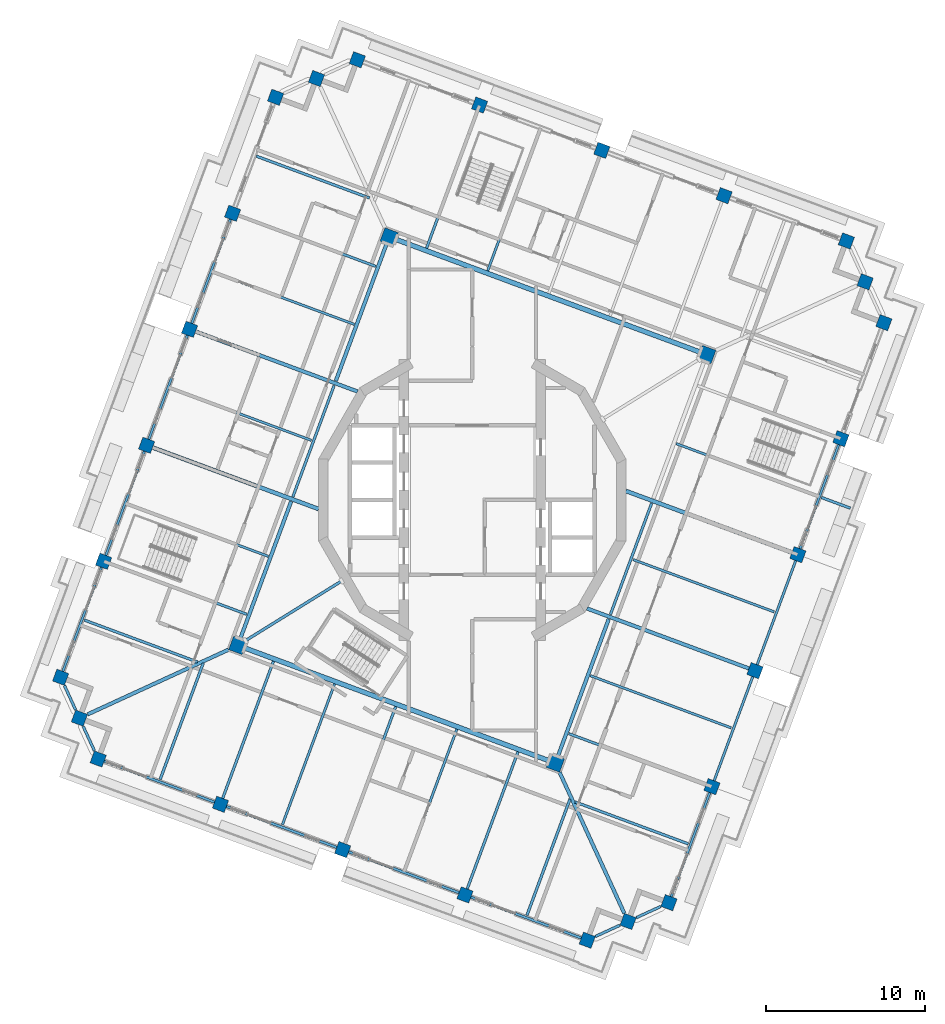
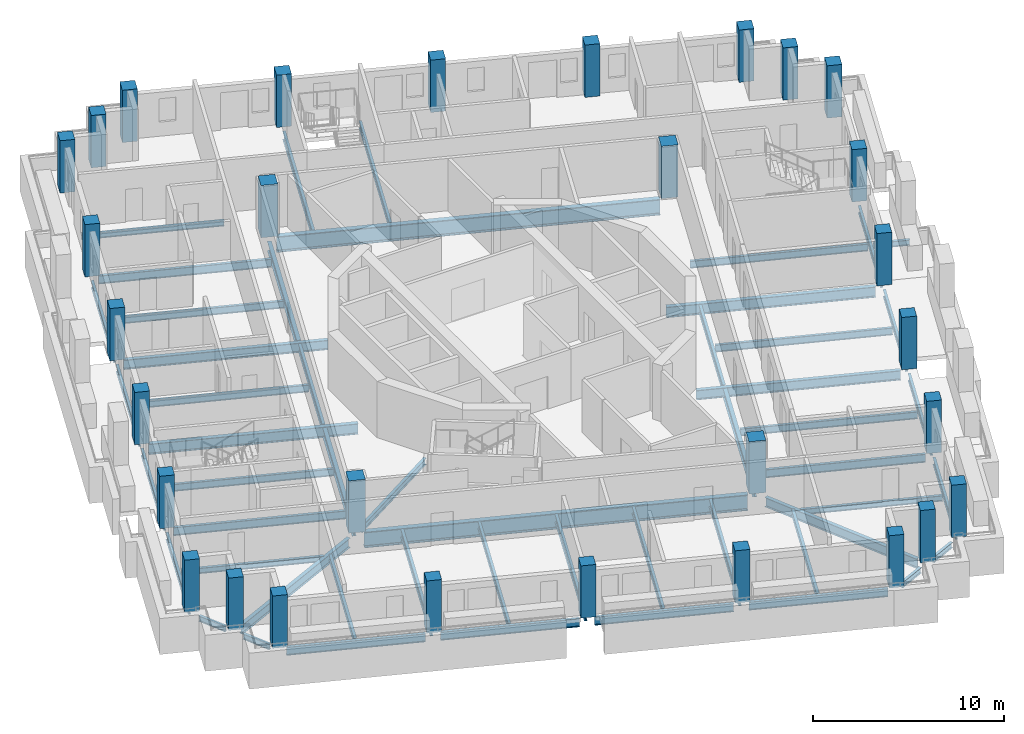
# One storey, part 1 of 19: 52 beams, 30 columns.
"""IFC4 building model written with IfcOpenShell, lengths in metres."""

from ifc_helpers import new_model, si_unit, direction, frame, origin, origin_2d, place, context, subcontext, project, spatial, rectangle, i_section, extrude, material, material_profile, profile_set, type_object, element, save


model = new_model("IFC4")

# Units and contexts
model_context = context("Model", 3, precision=1e-05, world=origin(), true_north=direction((0.0, 1.0)))
body_context = subcontext(model_context, "Body", "Model", "MODEL_VIEW")
ifc_project = project(units=[si_unit("LENGTHUNIT", "METRE"), si_unit("AREAUNIT", "SQUARE_METRE"), si_unit("VOLUMEUNIT", "CUBIC_METRE"), si_unit("PLANEANGLEUNIT", "RADIAN"), si_unit("MASSUNIT", "GRAM", prefix="KILO")], contexts=[model_context])

# Site, building, storey
site_placement = place(None, origin())
site = spatial("IfcSite", under=ifc_project, at=site_placement, CompositionType="ELEMENT")
building_placement = place(site_placement, origin())
building = spatial("IfcBuilding", under=site, at=building_placement, Name="Cantera Rosa Tower", CompositionType="ELEMENT")
storey_placement = place(building_placement, frame((0.0, 0.0, 327.699951171875)))
storey = spatial("IfcBuildingStorey", under=building, at=storey_placement, Name="L73", CompositionType="ELEMENT", Elevation=327.699951171875)

# Columns
ifc_material_1 = material(Name="Concrete C50/60", Category="concrete")
ifc_material_profile_1 = material_profile(ifc_material_1, rectangle(XDim=0.800048828125, YDim=0.800048828125, at=origin_2d()), Name="RC COLUMN RC800X800 C50/60")
ifc_profile_set_1 = profile_set([ifc_material_profile_1], Name="Concrete C50/60")
column_type_1 = type_object("IfcColumnType", Name="RC COLUMN RC800X800 C50/60", PredefinedType="COLUMN", material=ifc_profile_set_1)
for number, where, z_axis, x_axis, name in (
    (1, (23.526611328125, 16.2900390625, 0.0), (0.0, 0.0, 1.0), (0.347481234489, 0.937686936924, 0.0), "C-Z6-01 L73"),
    (2, (15.83740234375, 19.139404296875, 0.0), (0.0, 0.0, 1.0), (0.347481234489, 0.937686936924, 0.0), "C-Z6-02 L73"),
    (3, (8.1484375, 21.98876953125, 0.0), (0.0, 0.0, 1.0), (0.347481234489, 0.937686936924, 0.0), "C-Z6-03 L73"),
    (4, (0.45947265625, 24.838134765625, 0.0), (0.0, 0.0, 1.0), (0.347481234489, 0.937686936924, 0.0), "C-Z6-04 L73"),
    (5, (-7.229736328125, 27.6875, 0.0), (0.0, 0.0, 1.0), (0.347481234489, 0.937686936924, 0.0), "C-Z6-05 L73"),
    (6, (-9.800048828125, 26.507080078125, 0.0), (0.0, 0.0, 1.0), (0.347481234489, 0.937686936924, 0.0), "C-Z6-06 L73"),
    (7, (-12.370361328125, 25.32666015625, 0.0), (0.0, 0.0, 1.0), (0.347481234489, 0.937686936924, 0.0), "C-Z6-07 L73"),
    (8, (-15.07373046875, 18.031494140625, 0.0), (0.0, 0.0, 1.0), (0.347481234489, 0.937686936924, 0.0), "C-Z6-08 L73"),
    (9, (-17.777099609375, 10.736328125, 0.0), (0.0, 0.0, 1.0), (0.347481234489, 0.937686936924, 0.0), "C-Z6-09 L73"),
    (10, (-20.48046875, 3.44091796875, 0.0), (0.0, 0.0, 1.0), (0.347481234489, 0.937686936924, 0.0), "C-Z6-10 L73"),
    (11, (-23.183837890625, -3.854248046875, 0.0), (0.0, 0.0, 1.0), (0.347481234489, 0.937686936924, 0.0), "C-Z6-11 L73"),
    (12, (-25.88720703125, -11.1494140625, 0.0), (0.0, 0.0, 1.0), (0.347481234489, 0.937686936924, 0.0), "C-Z6-12 L73"),
    (13, (-24.70703125, -13.7197265625, 0.0), (0.0, 0.0, 1.0), (0.347481234489, 0.937686936924, 0.0), "C-Z6-13 L73"),
    (14, (-23.526611328125, -16.2900390625, 0.0), (0.0, 0.0, 1.0), (0.347481234489, 0.937686936924, 0.0), "C-Z6-14 L73"),
    (15, (-15.83740234375, -19.139404296875, 0.0), (0.0, 0.0, 1.0), (0.347481234489, 0.937686936924, 0.0), "C-Z6-15 L73"),
    (16, (-8.1484375, -21.98876953125, 0.0), (0.0, 0.0, 1.0), (0.347481234489, 0.937686936924, 0.0), "C-Z6-16 L73"),
    (17, (-0.45947265625, -24.838134765625, 0.0), (0.0, 0.0, 1.0), (0.347481234489, 0.937686936924, 0.0), "C-Z6-17 L73"),
    (18, (7.229736328125, -27.6875, 0.0), (0.0, 0.0, 1.0), (0.347481234489, 0.937686936924, 0.0), "C-Z6-18 L73"),
    (19, (9.800048828125, -26.507080078125, 0.0), (0.0, 0.0, 1.0), (0.347481234489, 0.937686936924, 0.0), "C-Z6-19 L73"),
    (20, (12.370361328125, -25.32666015625, 0.0), (0.0, 0.0, 1.0), (0.347481234489, 0.937686936924, 0.0), "C-Z6-20 L73"),
    (21, (15.07373046875, -18.031494140625, 0.0), (0.0, 0.0, 1.0), (0.347481234489, 0.937686936924, 0.0), "C-Z6-21 L73"),
    (22, (17.777099609375, -10.736328125, 0.0), (0.0, 0.0, 1.0), (0.347481234489, 0.937686936924, 0.0), "C-Z6-22 L73"),
    (23, (20.48046875, -3.44091796875, 0.0), (0.0, 0.0, 1.0), (0.347481234489, 0.937686936924, 0.0), "C-Z6-23 L73"),
    (24, (23.183837890625, 3.854248046875, 0.0), (0.0, 0.0, 1.0), (0.347481234489, 0.937686936924, 0.0), "C-Z6-24 L73"),
    (25, (25.88720703125, 11.1494140625, 0.0), (0.0, 0.0, 1.0), (0.347481234489, 0.937686936924, 0.0), "C-Z6-25 L73"),
    (26, (24.70703125, 13.7197265625, 0.0), (0.0, 0.0, 1.0), (0.347481234489, 0.937686936924, 0.0), "C-Z6-26 L73"),
):
    element("IfcColumn", number, at=place(storey_placement, frame(where, z_axis=z_axis, x_axis=x_axis)), inside=storey, type_object=column_type_1, Name=name, PredefinedType="COLUMN", context=body_context, shape_type="SweptSolid", body=[
        extrude(rectangle(XDim=0.800048828125, YDim=0.800048828125, at=origin_2d()), origin(), (0.0, 0.0, 1.0), 3.35009765625),
    ])
ifc_material_2 = material(Name="Concrete C50/60", Category="concrete")
ifc_material_profile_2 = material_profile(ifc_material_2, rectangle(XDim=0.89990234375, YDim=0.89990234375, at=origin_2d()), Name="RC RING COLUMN RC900X900 C50/60")
ifc_profile_set_2 = profile_set([ifc_material_profile_2], Name="Concrete C50/60")
column_type_2 = type_object("IfcColumnType", Name="RC RING COLUMN RC900X900 C50/60", PredefinedType="COLUMN", material=ifc_profile_set_2)
for number, where, z_axis, x_axis, name in (
    (27, (-5.225830078125, 16.546875, 0.0), (0.0, 0.0, 1.0), (0.347481234489, 0.937686936924, 0.0), "CI-Z6-1 L73"),
    (28, (-14.746826171875, -9.145751953125, 0.0), (0.0, 0.0, 1.0), (0.347481234489, 0.937686936924, 0.0), "CI-Z6-2 L73"),
    (29, (5.225830078125, -16.546875, 0.0), (0.0, 0.0, 1.0), (0.347481234489, 0.937686936924, 0.0), "CI-Z6-3 L73"),
    (30, (14.746826171875, 9.145751953125, 0.0), (0.0, 0.0, 1.0), (0.347481234489, 0.937686936924, 0.0), "CI-Z6-4 L73"),
):
    element("IfcColumn", number, at=place(storey_placement, frame(where, z_axis=z_axis, x_axis=x_axis)), inside=storey, type_object=column_type_2, Name=name, PredefinedType="COLUMN", context=body_context, shape_type="SweptSolid", body=[
        extrude(rectangle(XDim=0.89990234375, YDim=0.89990234375, at=origin_2d()), origin(), (0.0, 0.0, 1.0), 3.35009765625),
    ])

# Beams
ifc_material_3 = material(Name="Steel ASTM A992 (Fy 345 MPa)", Category="steel")
ifc_material_profile_3 = material_profile(ifc_material_3, i_section(OverallWidth=0.302001953125, OverallDepth=1.010009765625, WebThickness=0.02099609375, FlangeThickness=0.0400390625, FilletRadius=0.030029296875, at=origin_2d()), Name="W1000X350")
ifc_profile_set_3 = profile_set([ifc_material_profile_3], Name="Steel ASTM A992 (Fy 345 MPa)")
beam_type_1 = type_object("IfcBeamType", Name="STEEL BEAM W1000X350", PredefinedType="BEAM", material=ifc_profile_set_3)
for number, where, z_axis, x_axis, name in (
    (31, (14.324951171875, 9.302001953125, -0.7548828125), (-0.937687392162, 0.347480006017, 0.0), (-0.347480006017, -0.937687392162, 0.0), "RB-Z6-07 L73"),
    (32, (4.803955078125, -16.390625, -0.7548828125), (-0.937687392162, 0.347480006017, 0.0), (-0.347480006017, -0.937687392162, 0.0), "RB-Z6-08 L73"),
):
    element("IfcBeam", number, at=place(storey_placement, frame(where, z_axis=z_axis, x_axis=x_axis)), inside=storey, type_object=beam_type_1, Name=name, PredefinedType="BEAM", context=body_context, shape_type="SweptSolid", body=[
        extrude(i_section(OverallWidth=0.302001953125, OverallDepth=1.010009765625, WebThickness=0.02099609375, FlangeThickness=0.0400390625, FilletRadius=0.030029296875, at=origin_2d()), origin(), (0.0, 0.0, 1.0), 20.400146484375),
    ])
ifc_material_4 = material(Name="Steel ASTM A992 (Fy 345 MPa)", Category="steel")
ifc_material_profile_4 = material_profile(ifc_material_4, i_section(OverallWidth=0.177978515625, OverallDepth=0.406005859375, WebThickness=0.0078125, FlangeThickness=0.0126953125, FilletRadius=0.01025390625, at=origin_2d()), Name="W410X60")
ifc_profile_set_4 = profile_set([ifc_material_profile_4], Name="Steel ASTM A992 (Fy 345 MPa)")
beam_type_2 = type_object("IfcBeamType", Name="STEEL BEAM W410X60", PredefinedType="BEAM", material=ifc_profile_set_4)
beam_1_placement = place(storey_placement, frame((-14.262451171875, -8.84521484375, -0.452880859375), z_axis=(0.849840939707, 0.527039255841, 0.0), x_axis=(-0.527039255841, 0.849840939707, 0.0)))
element("IfcBeam", 33, at=beam_1_placement, inside=storey, type_object=beam_type_2, Name="PG-Z6-01 L73", PredefinedType="BEAM", context=body_context, shape_type="SweptSolid", body=[
    extrude(i_section(OverallWidth=0.177978515625, OverallDepth=0.406005859375, WebThickness=0.0078125, FlangeThickness=0.0126953125, FilletRadius=0.01025390625, at=origin_2d()), origin(), (0.0, 0.0, 1.0), 7.118408203125),
])
ifc_material_5 = material(Name="Steel ASTM A992 (Fy 345 MPa)", Category="steel")
ifc_material_profile_5 = material_profile(ifc_material_5, i_section(OverallWidth=0.166015625, OverallDepth=0.528076171875, WebThickness=0.009765625, FlangeThickness=0.013671875, FilletRadius=0.0126953125, at=origin_2d()), Name="W530X74")
ifc_profile_set_5 = profile_set([ifc_material_profile_5], Name="Steel ASTM A992 (Fy 345 MPa)")
beam_type_3 = type_object("IfcBeamType", Name="STEEL BEAM W530X74", PredefinedType="BEAM", material=ifc_profile_set_5)
for number, where, z_axis, x_axis, name in (
    (34, (0.3203125, 24.463134765625, -0.513916015625), (-0.347476838353, -0.937688566, 0.0), (0.937688566, -0.347476838353, 0.0), "G-Z6-03 L73"),
    (35, (-14.69873046875, 17.892333984375, -0.513916015625), (0.937688566, -0.347476838353, 0.0), (0.347476838353, 0.937688566, 0.0), "G-Z6-04 L73"),
    (36, (-22.808837890625, -3.9931640625, -0.513916015625), (0.937688566, -0.347476838353, 0.0), (0.347476838353, 0.937688566, 0.0), "G-Z6-07 L73"),
    (37, (14.69873046875, -17.892333984375, -0.513916015625), (-0.937688566, 0.347476838353, 0.0), (-0.347476838353, -0.937688566, 0.0), "G-Z6-08 L73"),
    (38, (-15.698486328125, -18.764404296875, -0.513916015625), (0.347476838353, 0.937688566, 0.0), (-0.937688566, 0.347476838353, 0.0), "G-Z6-12 L73"),
    (39, (-8.009521484375, -21.61376953125, -0.513916015625), (0.34750017104, 0.937679919337, 0.0), (-0.937679919337, 0.34750017104, 0.0), "G-Z6-13 L73"),
    (40, (-0.3203125, -24.463134765625, -0.513916015625), (0.347476838353, 0.937688566, 0.0), (-0.937688566, 0.347476838353, 0.0), "G-Z6-14 L73"),
):
    element("IfcBeam", number, at=place(storey_placement, frame(where, z_axis=z_axis, x_axis=x_axis)), inside=storey, type_object=beam_type_3, Name=name, PredefinedType="BEAM", context=body_context, shape_type="SweptSolid", body=[
        extrude(i_section(OverallWidth=0.166015625, OverallDepth=0.528076171875, WebThickness=0.009765625, FlangeThickness=0.013671875, FilletRadius=0.0126953125, at=origin_2d()), origin(), (0.0, 0.0, 1.0), 9.199951171875),
    ])
for number, where, z_axis, x_axis, name in (
    (41, (-11.285888671875, 0.19384765625, -0.513916015625), (0.347486566882, 0.937684960867, 0.0), (-0.937684960867, 0.347486566882, 0.0), "RB-Z6-02 L73"),
    (42, (8.686767578125, -7.20751953125, -0.513916015625), (0.347486566882, 0.937684960867, 0.0), (-0.937684960867, 0.347486566882, 0.0), "RB-Z6-05 L73"),
):
    element("IfcBeam", number, at=place(storey_placement, frame(where, z_axis=z_axis, x_axis=x_axis)), inside=storey, type_object=beam_type_3, Name=name, PredefinedType="BEAM", context=body_context, shape_type="SweptSolid", body=[
        extrude(i_section(OverallWidth=0.166015625, OverallDepth=0.528076171875, WebThickness=0.009765625, FlangeThickness=0.013671875, FilletRadius=0.0126953125, at=origin_2d()), origin(), (0.0, 0.0, 1.0), 7.479736328125),
    ])
ifc_material_6 = material(Name="Steel ASTM A992 (Fy 345 MPa)", Category="steel")
ifc_material_profile_6 = material_profile(ifc_material_6, i_section(OverallWidth=0.22802734375, OverallDepth=0.60205078125, WebThickness=0.010498046875, FlangeThickness=0.014892578125, FilletRadius=0.0126953125, at=origin_2d()), Name="W610X101")
ifc_profile_set_6 = profile_set([ifc_material_profile_6], Name="Steel ASTM A992 (Fy 345 MPa)")
beam_type_4 = type_object("IfcBeamType", Name="STEEL BEAM W610X101", PredefinedType="BEAM", material=ifc_profile_set_6)
for number, where, z_axis, x_axis, name in (
    (43, (-24.19287109375, -13.483642578125, -0.551025390625), (0.908747889595, 0.417345508131, 0.0), (-0.417345508131, 0.908747889595, 0.0), "CB-Z6-02 L73"),
    (44, (9.56396484375, -25.992919921875, -0.551025390625), (-0.417345508131, 0.908747889595, 0.0), (-0.908747889595, -0.417345508131, 0.0), "CB-Z6-03 L73"),
):
    element("IfcBeam", number, at=place(storey_placement, frame(where, z_axis=z_axis, x_axis=x_axis)), inside=storey, type_object=beam_type_4, Name=name, PredefinedType="BEAM", context=body_context, shape_type="SweptSolid", body=[
        extrude(i_section(OverallWidth=0.22802734375, OverallDepth=0.60205078125, WebThickness=0.010498046875, FlangeThickness=0.014892578125, FilletRadius=0.0126953125, at=origin_2d()), origin(), (0.0, 0.0, 1.0), 9.758056640625),
    ])
for number, where, z_axis, x_axis, name in (
    (45, (-14.590576171875, -8.7236328125, -0.551025390625), (0.347498244979, 0.937680633125, 0.0), (-0.937680633125, 0.347498244979, 0.0), "RB-Z6-01 L73"),
    (46, (-8.58251953125, 7.489013671875, -0.551025390625), (0.347474937304, 0.937689270465, 0.0), (-0.937689270465, 0.347474937304, 0.0), "RB-Z6-03 L73"),
    (47, (5.38232421875, -16.125, -0.551025390625), (0.347474937304, 0.937689270465, 0.0), (-0.937689270465, 0.347474937304, 0.0), "RB-Z6-04 L73"),
):
    element("IfcBeam", number, at=place(storey_placement, frame(where, z_axis=z_axis, x_axis=x_axis)), inside=storey, type_object=beam_type_4, Name=name, PredefinedType="BEAM", context=body_context, shape_type="SweptSolid", body=[
        extrude(i_section(OverallWidth=0.22802734375, OverallDepth=0.60205078125, WebThickness=0.010498046875, FlangeThickness=0.014892578125, FilletRadius=0.0126953125, at=origin_2d()), origin(), (0.0, 0.0, 1.0), 9.2099609375),
    ])
ifc_material_7 = material(Name="Steel ASTM A992 (Fy 345 MPa)", Category="steel")
ifc_material_profile_7 = material_profile(ifc_material_7, i_section(OverallWidth=0.22900390625, OverallDepth=0.612060546875, WebThickness=0.011962890625, FlangeThickness=0.01953125, FilletRadius=0.0126953125, at=origin_2d()), Name="W610X125")
ifc_profile_set_7 = profile_set([ifc_material_profile_7], Name="Steel ASTM A992 (Fy 345 MPa)")
beam_type_5 = type_object("IfcBeamType", Name="STEEL BEAM W610X125", PredefinedType="BEAM", material=ifc_profile_set_7)
for number, where, z_axis, x_axis, name in (
    (48, (-17.402099609375, 10.59716796875, -0.555908203125), (0.937686127687, -0.347483418229, 0.0), (0.347483418229, 0.937686127687, 0.0), "G-Z6-05 L73"),
    (49, (17.402099609375, -10.59716796875, -0.555908203125), (-0.937686127687, 0.347483418229, 0.0), (-0.347483418229, -0.937686127687, 0.0), "G-Z6-09 L73"),
):
    element("IfcBeam", number, at=place(storey_placement, frame(where, z_axis=z_axis, x_axis=x_axis)), inside=storey, type_object=beam_type_5, Name=name, PredefinedType="BEAM", context=body_context, shape_type="SweptSolid", body=[
        extrude(i_section(OverallWidth=0.22900390625, OverallDepth=0.612060546875, WebThickness=0.011962890625, FlangeThickness=0.01953125, FilletRadius=0.0126953125, at=origin_2d()), origin(), (0.0, 0.0, 1.0), 10.8642578125),
    ])
ifc_material_8 = material(Name="Steel ASTM A992 (Fy 345 MPa)", Category="steel")
ifc_material_profile_8 = material_profile(ifc_material_8, i_section(OverallWidth=0.25390625, OverallDepth=0.677978515625, WebThickness=0.01171875, FlangeThickness=0.016357421875, FilletRadius=0.01513671875, at=origin_2d()), Name="W690X125")
ifc_profile_set_8 = profile_set([ifc_material_profile_8], Name="Steel ASTM A992 (Fy 345 MPa)")
beam_type_6 = type_object("IfcBeamType", Name="STEEL BEAM W690X125", PredefinedType="BEAM", material=ifc_profile_set_8)
for number, where, z_axis, x_axis, name in (
    (50, (-20.10546875, 3.302001953125, -0.5888671875), (0.937687416585, -0.347479940109, 0.0), (0.347479940109, 0.937687416585, 0.0), "G-Z6-06 L73"),
    (51, (20.10546875, -3.302001953125, -0.5888671875), (-0.937687416585, 0.347479940109, 0.0), (-0.347479940109, -0.937687416585, 0.0), "G-Z6-10 L73"),
):
    element("IfcBeam", number, at=place(storey_placement, frame(where, z_axis=z_axis, x_axis=x_axis)), inside=storey, type_object=beam_type_6, Name=name, PredefinedType="BEAM", context=body_context, shape_type="SweptSolid", body=[
        extrude(i_section(OverallWidth=0.25390625, OverallDepth=0.677978515625, WebThickness=0.01171875, FlangeThickness=0.016357421875, FilletRadius=0.01513671875, at=origin_2d()), origin(), (0.0, 0.0, 1.0), 11.140380859375),
    ])
ifc_material_9 = material(Name="Steel ASTM A992 (Fy 345 MPa)", Category="steel")
ifc_material_profile_9 = material_profile(ifc_material_9, i_section(OverallWidth=0.1708984375, OverallDepth=0.35595703125, WebThickness=0.00732421875, FlangeThickness=0.01171875, FilletRadius=0.010009765625, at=origin_2d()), Name="W360X51")
ifc_profile_set_9 = profile_set([ifc_material_profile_9], Name="Steel ASTM A992 (Fy 345 MPa)")
beam_type_7 = type_object("IfcBeamType", Name="STEEL JOIST W360X51", PredefinedType="JOIST", material=ifc_profile_set_9)
beam_2_placement = place(storey_placement, frame((-13.581298828125, 21.626953125, -0.427978515625), z_axis=(0.93768239316, -0.347493495705, 0.0), x_axis=(0.347493495705, 0.93768239316, 0.0)))
element("IfcBeam", 52, at=beam_2_placement, inside=storey, type_object=beam_type_7, Name="B-Z6-05 L73", PredefinedType="JOIST", context=body_context, shape_type="SweptSolid", body=[
    extrude(i_section(OverallWidth=0.1708984375, OverallDepth=0.35595703125, WebThickness=0.00732421875, FlangeThickness=0.01171875, FilletRadius=0.010009765625, at=origin_2d()), origin(), (0.0, 0.0, 1.0), 7.58984375),
])
beam_3_placement = place(storey_placement, frame((-24.39501953125, -7.553955078125, -0.427978515625), z_axis=(0.937686277131, -0.347483014951, 0.0), x_axis=(0.347483014951, 0.937686277131, 0.0)))
element("IfcBeam", 53, at=beam_3_placement, inside=storey, type_object=beam_type_7, Name="B-Z6-09 L73", PredefinedType="JOIST", context=body_context, shape_type="SweptSolid", body=[
    extrude(i_section(OverallWidth=0.1708984375, OverallDepth=0.35595703125, WebThickness=0.00732421875, FlangeThickness=0.01171875, FilletRadius=0.010009765625, at=origin_2d()), origin(), (0.0, 0.0, 1.0), 7.590087890625),
])
beam_4_placement = place(storey_placement, frame((13.581298828125, -21.626953125, -0.427978515625), z_axis=(-0.93768239316, 0.347493495705, 0.0), x_axis=(-0.347493495705, -0.93768239316, 0.0)))
element("IfcBeam", 54, at=beam_4_placement, inside=storey, type_object=beam_type_7, Name="B-Z6-10 L73", PredefinedType="JOIST", context=body_context, shape_type="SweptSolid", body=[
    extrude(i_section(OverallWidth=0.1708984375, OverallDepth=0.35595703125, WebThickness=0.00732421875, FlangeThickness=0.01171875, FilletRadius=0.010009765625, at=origin_2d()), origin(), (0.0, 0.0, 1.0), 7.58984375),
])
for number, where, z_axis, x_axis, name in (
    (55, (-19.6298828125, -17.573974609375, -0.427978515625), (0.347491728417, 0.937683048093, 0.0), (-0.937683048093, 0.347491728417, 0.0), "B-Z6-15 L73"),
    (56, (3.437255859375, -26.1220703125, -0.427978515625), (0.347491728417, 0.937683048093, 0.0), (-0.937683048093, 0.347491728417, 0.0), "B-Z6-18 L73"),
):
    element("IfcBeam", number, at=place(storey_placement, frame(where, z_axis=z_axis, x_axis=x_axis)), inside=storey, type_object=beam_type_7, Name=name, PredefinedType="JOIST", context=body_context, shape_type="SweptSolid", body=[
        extrude(i_section(OverallWidth=0.1708984375, OverallDepth=0.35595703125, WebThickness=0.00732421875, FlangeThickness=0.01171875, FilletRadius=0.010009765625, at=origin_2d()), origin(), (0.0, 0.0, 1.0), 7.800048828125),
    ])
beam_5_placement = place(storey_placement, frame((21.9541015625, 0.161376953125, -0.427978515625), z_axis=(0.937685327158, -0.347485578453, 0.0), x_axis=(0.347485578453, 0.937685327158, 0.0)))
element("IfcBeam", 57, at=beam_5_placement, inside=storey, type_object=beam_type_7, Name="BS-Z6-03 L73", PredefinedType="JOIST", context=body_context, shape_type="SweptSolid", body=[
    extrude(i_section(OverallWidth=0.1708984375, OverallDepth=0.35595703125, WebThickness=0.00732421875, FlangeThickness=0.01171875, FilletRadius=0.010009765625, at=origin_2d()), origin(), (0.0, 0.0, 1.0), 1.950439453125),
])
ifc_material_10 = material(Name="Steel ASTM A992 (Fy 345 MPa)", Category="steel")
ifc_material_profile_10 = material_profile(ifc_material_10, i_section(OverallWidth=0.154052734375, OverallDepth=0.4599609375, WebThickness=0.009033203125, FlangeThickness=0.015380859375, FilletRadius=0.01025390625, at=origin_2d()), Name="W460X68")
ifc_profile_set_10 = profile_set([ifc_material_profile_10], Name="Steel ASTM A992 (Fy 345 MPa)")
beam_type_8 = type_object("IfcBeamType", Name="STEEL JOIST W460X68", PredefinedType="JOIST", material=ifc_profile_set_10)
for number, where, z_axis, x_axis, name in (
    (58, (4.251708984375, 23.272705078125, -0.47998046875), (-0.347482637031, -0.937686417179, 0.0), (0.937686417179, -0.347482637031, 0.0), "B-Z6-03 L73"),
    (59, (-16.28466796875, 14.331787109375, -0.47998046875), (0.937686417179, -0.347482637031, 0.0), (0.347482637031, 0.937686417179, 0.0), "B-Z6-06 L73"),
):
    element("IfcBeam", number, at=place(storey_placement, frame(where, z_axis=z_axis, x_axis=x_axis)), inside=storey, type_object=beam_type_8, Name=name, PredefinedType="JOIST", context=body_context, shape_type="SweptSolid", body=[
        extrude(i_section(OverallWidth=0.154052734375, OverallDepth=0.4599609375, WebThickness=0.009033203125, FlangeThickness=0.015380859375, FilletRadius=0.01025390625, at=origin_2d()), origin(), (0.0, 0.0, 1.0), 9.449951171875),
    ])
for number, where, z_axis, x_axis, name in (
    (60, (-18.98828125, 7.036376953125, -0.47998046875), (0.937689536508, -0.347474219364, 0.0), (0.347474219364, 0.937689536508, 0.0), "B-Z6-07 L73"),
    (61, (-21.691650390625, -0.2587890625, -0.47998046875), (0.937689536508, -0.347474219364, 0.0), (0.347474219364, 0.937689536508, 0.0), "B-Z6-08 L73"),
):
    element("IfcBeam", number, at=place(storey_placement, frame(where, z_axis=z_axis, x_axis=x_axis)), inside=storey, type_object=beam_type_8, Name=name, PredefinedType="JOIST", context=body_context, shape_type="SweptSolid", body=[
        extrude(i_section(OverallWidth=0.154052734375, OverallDepth=0.4599609375, WebThickness=0.009033203125, FlangeThickness=0.015380859375, FilletRadius=0.01025390625, at=origin_2d()), origin(), (0.0, 0.0, 1.0), 9.4501953125),
    ])
beam_6_placement = place(storey_placement, frame((16.28466796875, -14.331787109375, -0.47998046875), z_axis=(-0.937686417179, 0.347482637031, 0.0), x_axis=(-0.347482637031, -0.937686417179, 0.0)))
element("IfcBeam", 62, at=beam_6_placement, inside=storey, type_object=beam_type_8, Name="B-Z6-11 L73", PredefinedType="JOIST", context=body_context, shape_type="SweptSolid", body=[
    extrude(i_section(OverallWidth=0.154052734375, OverallDepth=0.4599609375, WebThickness=0.009033203125, FlangeThickness=0.015380859375, FilletRadius=0.01025390625, at=origin_2d()), origin(), (0.0, 0.0, 1.0), 9.449951171875),
])
for number, where, z_axis, x_axis, name in (
    (63, (18.98828125, -7.036376953125, -0.47998046875), (-0.937689536508, 0.347474219364, 0.0), (-0.347474219364, -0.937689536508, 0.0), "B-Z6-12 L73"),
    (64, (21.691650390625, 0.2587890625, -0.47998046875), (-0.937689536508, 0.347474219364, 0.0), (-0.347474219364, -0.937689536508, 0.0), "B-Z6-13 L73"),
):
    element("IfcBeam", number, at=place(storey_placement, frame(where, z_axis=z_axis, x_axis=x_axis)), inside=storey, type_object=beam_type_8, Name=name, PredefinedType="JOIST", context=body_context, shape_type="SweptSolid", body=[
        extrude(i_section(OverallWidth=0.154052734375, OverallDepth=0.4599609375, WebThickness=0.009033203125, FlangeThickness=0.015380859375, FilletRadius=0.01025390625, at=origin_2d()), origin(), (0.0, 0.0, 1.0), 9.4501953125),
    ])
for number, where, z_axis, x_axis, name in (
    (65, (-11.94091796875, -20.42333984375, -0.47998046875), (0.347482637031, 0.937686417179, 0.0), (-0.937686417179, 0.347482637031, 0.0), "B-Z6-16 L73"),
    (66, (-4.251708984375, -23.272705078125, -0.47998046875), (0.347482637031, 0.937686417179, 0.0), (-0.937686417179, 0.347482637031, 0.0), "B-Z6-17 L73"),
):
    element("IfcBeam", number, at=place(storey_placement, frame(where, z_axis=z_axis, x_axis=x_axis)), inside=storey, type_object=beam_type_8, Name=name, PredefinedType="JOIST", context=body_context, shape_type="SweptSolid", body=[
        extrude(i_section(OverallWidth=0.154052734375, OverallDepth=0.4599609375, WebThickness=0.009033203125, FlangeThickness=0.015380859375, FilletRadius=0.01025390625, at=origin_2d()), origin(), (0.0, 0.0, 1.0), 9.449951171875),
    ])
ifc_material_11 = material(Name="Steel ASTM A992 (Fy 345 MPa)", Category="steel")
ifc_material_profile_11 = material_profile(ifc_material_11, i_section(OverallWidth=0.1708984375, OverallDepth=0.35595703125, WebThickness=0.00732421875, FlangeThickness=0.01171875, FilletRadius=0.010009765625, at=origin_2d()), Name="W360X51")
ifc_profile_set_11 = profile_set([ifc_material_profile_11], Name="Steel ASTM A992 (Fy 345 MPa)")
beam_type_9 = type_object("IfcBeamType", Name="STEEL SPANDREL BEAM W360X51", PredefinedType="SPANDREL", material=ifc_profile_set_11)
for number, where, z_axis, x_axis, name in (
    (67, (-25.651123046875, -11.66357421875, -0.427978515625), (0.417268968709, -0.908783036677, 0.0), (0.908783036677, 0.417268968709, 0.0), "EB-Z6-12 L73"),
    (68, (-24.470947265625, -14.23388671875, -0.427978515625), (0.417387791404, -0.908728469669, 0.0), (0.908728469669, 0.417387791404, 0.0), "EB-Z6-13 L73"),
):
    element("IfcBeam", number, at=place(storey_placement, frame(where, z_axis=z_axis, x_axis=x_axis)), inside=storey, type_object=beam_type_9, Name=name, PredefinedType="SPANDREL", context=body_context, shape_type="SweptSolid", body=[
        extrude(i_section(OverallWidth=0.1708984375, OverallDepth=0.35595703125, WebThickness=0.00732421875, FlangeThickness=0.01171875, FilletRadius=0.010009765625, at=origin_2d()), origin(), (0.0, 0.0, 1.0), 1.69677734375),
    ])
for number, where, z_axis, x_axis, name in (
    (69, (7.74365234375, -27.451416015625, -0.427978515625), (0.908753529973, 0.417333226286, 0.0), (-0.417333226286, 0.908753529973, 0.0), "EB-Z6-18 L73"),
    (70, (10.31396484375, -26.27099609375, -0.427978515625), (0.908753529973, 0.417333226286, 0.0), (-0.417333226286, 0.908753529973, 0.0), "EB-Z6-19 L73"),
):
    element("IfcBeam", number, at=place(storey_placement, frame(where, z_axis=z_axis, x_axis=x_axis)), inside=storey, type_object=beam_type_9, Name=name, PredefinedType="SPANDREL", context=body_context, shape_type="SweptSolid", body=[
        extrude(i_section(OverallWidth=0.1708984375, OverallDepth=0.35595703125, WebThickness=0.00732421875, FlangeThickness=0.01171875, FilletRadius=0.010009765625, at=origin_2d()), origin(), (0.0, 0.0, 1.0), 1.697021484375),
    ])
ifc_material_12 = material(Name="Steel ASTM A992 (Fy 345 MPa)", Category="steel")
ifc_material_profile_12 = material_profile(ifc_material_12, i_section(OverallWidth=0.154052734375, OverallDepth=0.4599609375, WebThickness=0.009033203125, FlangeThickness=0.015380859375, FilletRadius=0.01025390625, at=origin_2d()), Name="W460X68")
ifc_profile_set_12 = profile_set([ifc_material_profile_12], Name="Steel ASTM A992 (Fy 345 MPa)")
beam_type_10 = type_object("IfcBeamType", Name="STEEL SPANDREL BEAM W460X68", PredefinedType="SPANDREL", material=ifc_profile_set_12)
for number, where, z_axis, x_axis, name in (
    (71, (-15.212646484375, 17.65625, -0.47998046875), (-0.347502316452, -0.937679124253, 0.0), (0.937679124253, -0.347502316452, 0.0), "EB-Z6-08 L73"),
    (72, (-17.916015625, 10.361083984375, -0.47998046875), (-0.347502316452, -0.937679124253, 0.0), (0.937679124253, -0.347502316452, 0.0), "EB-Z6-09 L73"),
):
    element("IfcBeam", number, at=place(storey_placement, frame(where, z_axis=z_axis, x_axis=x_axis)), inside=storey, type_object=beam_type_10, Name=name, PredefinedType="SPANDREL", context=body_context, shape_type="SweptSolid", body=[
        extrude(i_section(OverallWidth=0.154052734375, OverallDepth=0.4599609375, WebThickness=0.009033203125, FlangeThickness=0.015380859375, FilletRadius=0.01025390625, at=origin_2d()), origin(), (0.0, 0.0, 1.0), 6.97998046875),
    ])
beam_7_placement = place(storey_placement, frame((-20.61962890625, 3.06591796875, -0.47998046875), z_axis=(-0.347471562124, -0.937690521182, 0.0), x_axis=(0.937690521182, -0.347471562124, 0.0)))
element("IfcBeam", 73, at=beam_7_placement, inside=storey, type_object=beam_type_10, Name="EB-Z6-10 L73", PredefinedType="SPANDREL", context=body_context, shape_type="SweptSolid", body=[
    extrude(i_section(OverallWidth=0.154052734375, OverallDepth=0.4599609375, WebThickness=0.009033203125, FlangeThickness=0.015380859375, FilletRadius=0.01025390625, at=origin_2d()), origin(), (0.0, 0.0, 1.0), 6.979736328125),
])
beam_8_placement = place(storey_placement, frame((-23.322998046875, -4.229248046875, -0.47998046875), z_axis=(-0.347460165909, -0.937694744097, 0.0), x_axis=(0.937694744097, -0.347460165909, 0.0)))
element("IfcBeam", 74, at=beam_8_placement, inside=storey, type_object=beam_type_10, Name="EB-Z6-11 L73", PredefinedType="SPANDREL", context=body_context, shape_type="SweptSolid", body=[
    extrude(i_section(OverallWidth=0.154052734375, OverallDepth=0.4599609375, WebThickness=0.009033203125, FlangeThickness=0.015380859375, FilletRadius=0.01025390625, at=origin_2d()), origin(), (0.0, 0.0, 1.0), 6.97998046875),
])
beam_9_placement = place(storey_placement, frame((12.50927734375, -24.95166015625, -0.47998046875), z_axis=(0.347490919506, 0.937683347864, 0.0), x_axis=(-0.937683347864, 0.347490919506, 0.0)))
element("IfcBeam", 75, at=beam_9_placement, inside=storey, type_object=beam_type_10, Name="EB-Z6-20 L73", PredefinedType="SPANDREL", context=body_context, shape_type="SweptSolid", body=[
    extrude(i_section(OverallWidth=0.154052734375, OverallDepth=0.4599609375, WebThickness=0.009033203125, FlangeThickness=0.015380859375, FilletRadius=0.01025390625, at=origin_2d()), origin(), (0.0, 0.0, 1.0), 6.980224609375),
])
for number, where, z_axis, x_axis, name in (
    (76, (15.212646484375, -17.65625, -0.47998046875), (0.347502316452, 0.937679124253, 0.0), (-0.937679124253, 0.347502316452, 0.0), "EB-Z6-21 L73"),
    (77, (17.916015625, -10.361083984375, -0.47998046875), (0.347502316452, 0.937679124253, 0.0), (-0.937679124253, 0.347502316452, 0.0), "EB-Z6-22 L73"),
):
    element("IfcBeam", number, at=place(storey_placement, frame(where, z_axis=z_axis, x_axis=x_axis)), inside=storey, type_object=beam_type_10, Name=name, PredefinedType="SPANDREL", context=body_context, shape_type="SweptSolid", body=[
        extrude(i_section(OverallWidth=0.154052734375, OverallDepth=0.4599609375, WebThickness=0.009033203125, FlangeThickness=0.015380859375, FilletRadius=0.01025390625, at=origin_2d()), origin(), (0.0, 0.0, 1.0), 6.97998046875),
    ])
beam_10_placement = place(storey_placement, frame((20.61962890625, -3.06591796875, -0.47998046875), z_axis=(0.347471562124, 0.937690521182, 0.0), x_axis=(-0.937690521182, 0.347471562124, 0.0)))
element("IfcBeam", 78, at=beam_10_placement, inside=storey, type_object=beam_type_10, Name="EB-Z6-23 L73", PredefinedType="SPANDREL", context=body_context, shape_type="SweptSolid", body=[
    extrude(i_section(OverallWidth=0.154052734375, OverallDepth=0.4599609375, WebThickness=0.009033203125, FlangeThickness=0.015380859375, FilletRadius=0.01025390625, at=origin_2d()), origin(), (0.0, 0.0, 1.0), 6.979736328125),
])
ifc_material_13 = material(Name="Steel ASTM A992 (Fy 345 MPa)", Category="steel")
ifc_material_profile_13 = material_profile(ifc_material_13, i_section(OverallWidth=0.166015625, OverallDepth=0.528076171875, WebThickness=0.009765625, FlangeThickness=0.013671875, FilletRadius=0.0126953125, at=origin_2d()), Name="W530X74")
ifc_profile_set_13 = profile_set([ifc_material_profile_13], Name="Steel ASTM A992 (Fy 345 MPa)")
beam_type_11 = type_object("IfcBeamType", Name="STEEL SPANDREL BEAM W530X74", PredefinedType="SPANDREL", material=ifc_profile_set_13)
beam_11_placement = place(storey_placement, frame((-23.1513671875, -16.428955078125, -0.513916015625), z_axis=(0.937676706507, -0.347508840281, 0.0), x_axis=(0.347508840281, 0.937676706507, 0.0)))
element("IfcBeam", 79, at=beam_11_placement, inside=storey, type_object=beam_type_11, Name="EB-Z6-14 L73", PredefinedType="SPANDREL", context=body_context, shape_type="SweptSolid", body=[
    extrude(i_section(OverallWidth=0.166015625, OverallDepth=0.528076171875, WebThickness=0.009765625, FlangeThickness=0.013671875, FilletRadius=0.0126953125, at=origin_2d()), origin(), (0.0, 0.0, 1.0), 7.39990234375),
])
for number, where, z_axis, x_axis, name in (
    (80, (-15.46240234375, -19.2783203125, -0.513916015625), (0.937680690562, -0.34749808999, 0.0), (0.34749808999, 0.937680690562, 0.0), "EB-Z6-15 L73"),
    (81, (-7.7734375, -22.127685546875, -0.513916015625), (0.937680690562, -0.34749808999, 0.0), (0.34749808999, 0.937680690562, 0.0), "EB-Z6-16 L73"),
):
    element("IfcBeam", number, at=place(storey_placement, frame(where, z_axis=z_axis, x_axis=x_axis)), inside=storey, type_object=beam_type_11, Name=name, PredefinedType="SPANDREL", context=body_context, shape_type="SweptSolid", body=[
        extrude(i_section(OverallWidth=0.166015625, OverallDepth=0.528076171875, WebThickness=0.009765625, FlangeThickness=0.013671875, FilletRadius=0.0126953125, at=origin_2d()), origin(), (0.0, 0.0, 1.0), 7.400146484375),
    ])
beam_12_placement = place(storey_placement, frame((-0.084228515625, -24.97705078125, -0.513916015625), z_axis=(0.937687456783, -0.347479831633, 0.0), x_axis=(0.347479831633, 0.937687456783, 0.0)))
element("IfcBeam", 82, at=beam_12_placement, inside=storey, type_object=beam_type_11, Name="EB-Z6-17 L73", PredefinedType="SPANDREL", context=body_context, shape_type="SweptSolid", body=[
    extrude(i_section(OverallWidth=0.166015625, OverallDepth=0.528076171875, WebThickness=0.009765625, FlangeThickness=0.013671875, FilletRadius=0.0126953125, at=origin_2d()), origin(), (0.0, 0.0, 1.0), 7.39990234375),
])

save(model, "model.ifc")
